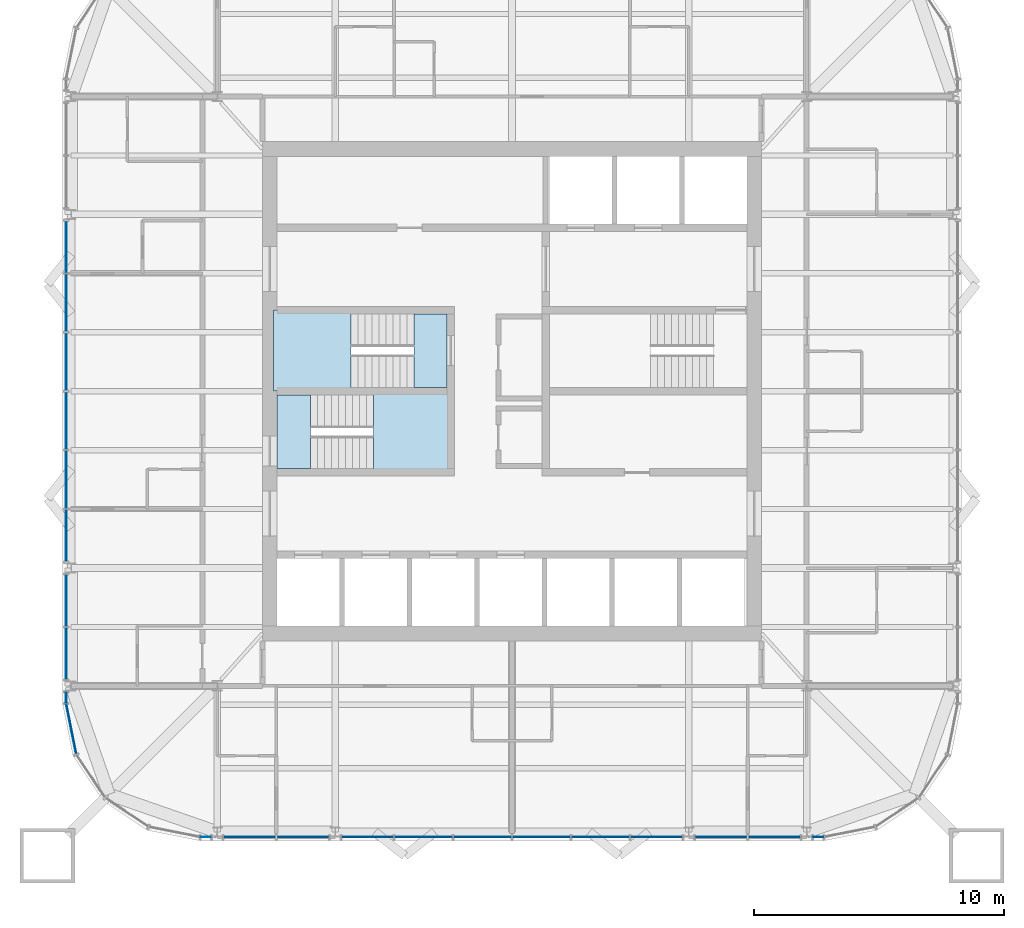
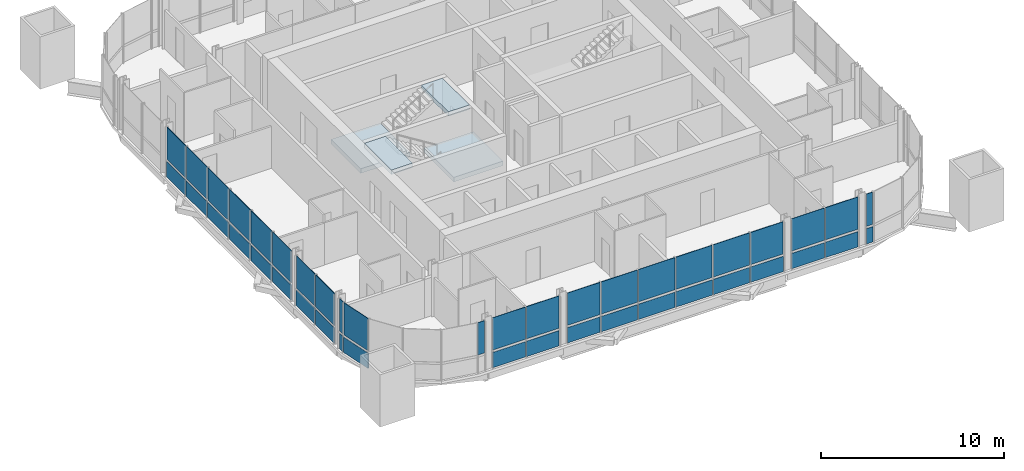
# One storey, part 8 of 17: 43 plates, 4 slabs, 11 elements without a shape of their own.
"""IFC4 building model written with IfcOpenShell, lengths in metres."""

import ifcopenshell
import ifcopenshell.guid

model = None  # the IFC model being written
_history = None  # IfcOwnerHistory: only IFC2X3 demands one
_inside = {}  # id of a spatial element -> (the spatial element, [elements in it])
_under = {}  # id of a project, library or spatial element -> (it, [spatial elements below it])
_declared = {}  # id of a project -> (the project, [libraries it declares])
_typed = {}  # id of a type object -> (the type object, [elements of that type])
_made_of = {}  # id of a material, layer set ... -> (it, [elements and type objects made of it])


def new_model(schema):
    """Start an empty IFC model of exactly this schema.

    Asked for "IFC4X3", IfcOpenShell would pick the latest addendum, in which some entities
    have other attributes; the version numbers below select the first issue.
    IFC2X3 requires an IfcOwnerHistory on every rooted entity: one is made here for all.
    """
    global model, _history
    if schema == "IFC4X3":
        model = ifcopenshell.file(schema_version=(4, 3, 0, 0))
    else:
        model = ifcopenshell.file(schema=schema)
    _inside.clear()
    _under.clear()
    _declared.clear()
    _typed.clear()
    _made_of.clear()
    _history = None
    if model.schema == "IFC2X3":
        org = make("IfcOrganization", Name="unknown")
        user = make(
            "IfcPersonAndOrganization",
            ThePerson=make("IfcPerson", FamilyName="unknown"),
            TheOrganization=org,
        )
        app = make(
            "IfcApplication",
            ApplicationDeveloper=org,
            Version="unknown",
            ApplicationFullName="unknown",
            ApplicationIdentifier="unknown",
        )
        _history = make(
            "IfcOwnerHistory",
            OwningUser=user,
            OwningApplication=app,
            ChangeAction="ADDED",
            CreationDate=0,
        )
    return model


def make(cls, **values):
    """One entity of the class cls with the attributes given. An attribute that is None is left unset."""
    return model.create_entity(
        cls, **{name: value for name, value in values.items() if value is not None}
    )


def rooted(cls, **values):
    """An entity with a GlobalId (a new one), such as an element, a storey or a relation."""
    return make(cls, GlobalId=ifcopenshell.guid.new(), OwnerHistory=_history, **values)


def si_unit(unit_type, name, prefix=None):
    """IfcSIUnit, for example si_unit("LENGTHUNIT", "METRE", prefix="MILLI")."""
    return make("IfcSIUnit", UnitType=unit_type, Prefix=prefix, Name=name)


def assignment(units):
    """IfcUnitAssignment: the units of a project."""
    return None if units is None else make("IfcUnitAssignment", Units=units)


def point(xyz):
    """IfcCartesianPoint."""
    return None if xyz is None else make("IfcCartesianPoint", Coordinates=xyz)


def direction(xyz):
    """IfcDirection."""
    return None if xyz is None else make("IfcDirection", DirectionRatios=xyz)


def frame(location, z_axis=None, x_axis=None):
    """IfcAxis2Placement3D, a coordinate frame: its origin and axes. An axis left out is left unset."""
    return make(
        "IfcAxis2Placement3D",
        Location=point(location),
        Axis=direction(z_axis),
        RefDirection=direction(x_axis),
    )


def frame_2d(location, x_axis=None):
    """IfcAxis2Placement2D, a coordinate frame in the plane: its origin and x axis."""
    return make(
        "IfcAxis2Placement2D", Location=point(location), RefDirection=direction(x_axis)
    )


def origin():
    """The frame at (0, 0, 0) with its axes left unset."""
    return frame((0.0, 0.0, 0.0))


def origin_2d():
    """The frame at (0, 0) in the plane with its x axis left unset."""
    return frame_2d((0.0, 0.0))


def place(relative_to, where):
    """IfcLocalPlacement: puts the frame where relative to a parent placement (None: the world)."""
    return make(
        "IfcLocalPlacement", PlacementRelTo=relative_to, RelativePlacement=where
    )


def context(
    kind, dimensions, precision=None, world=None, true_north=None, identifier=None
):
    """IfcGeometricRepresentationContext, for example the 3D "Model" context."""
    return make(
        "IfcGeometricRepresentationContext",
        ContextIdentifier=identifier,
        ContextType=kind,
        CoordinateSpaceDimension=dimensions,
        Precision=precision,
        WorldCoordinateSystem=world,
        TrueNorth=true_north,
    )


def subcontext(parent, identifier, kind, view, scale=None):
    """IfcGeometricRepresentationSubContext, for example "Body" below "Model"."""
    return make(
        "IfcGeometricRepresentationSubContext",
        ContextIdentifier=identifier,
        ContextType=kind,
        ParentContext=parent,
        TargetScale=scale,
        TargetView=view,
    )


def project(units=None, contexts=None):
    """IfcProject with its units and contexts."""
    return rooted(
        "IfcProject",
        Name="project",
        RepresentationContexts=contexts,
        UnitsInContext=assignment(units),
    )


def spatial(cls, under=None, at=None, **own):
    """A site, building, storey or space (cls), placed at a placement, below another one or the project."""
    s = rooted(cls, ObjectPlacement=at, **own)
    if under is not None:
        _under.setdefault(under.id(), (under, []))[1].append(s)
    return s


def polyline(points):
    """IfcPolyline through the points."""
    return make("IfcPolyline", Points=[point(p) for p in points])


def profile(cls, at=None, kind="AREA", **sizes):
    """A parametric profile (cls). Its sizes go by their IFC names, for example OverallWidth=200.0."""
    return make(cls, ProfileType=kind, Position=at, **sizes)


def rectangle(**sizes):
    """IfcRectangleProfileDef."""
    return profile("IfcRectangleProfileDef", **sizes)


def outline(outer, holes=None, kind="AREA"):
    """IfcArbitraryClosedProfileDef: a profile drawn as a closed curve; with holes, ...WithVoids."""
    if holes is None:
        return make("IfcArbitraryClosedProfileDef", ProfileType=kind, OuterCurve=outer)
    return make(
        "IfcArbitraryProfileDefWithVoids",
        ProfileType=kind,
        OuterCurve=outer,
        InnerCurves=holes,
    )


def extrude(swept, where, along, depth):
    """IfcExtrudedAreaSolid: the profile swept, set in the frame where, extruded along a direction by depth."""
    return make(
        "IfcExtrudedAreaSolid",
        SweptArea=swept,
        Position=where,
        ExtrudedDirection=direction(along),
        Depth=depth,
    )


def shape(context_of_items, identifier, shape_type, items):
    """IfcShapeRepresentation: the items that make up one representation, for example the "Body"."""
    return make(
        "IfcShapeRepresentation",
        ContextOfItems=context_of_items,
        RepresentationIdentifier=identifier,
        RepresentationType=shape_type,
        Items=items,
    )


def material(Name=None, Category=None):
    """IfcMaterial."""
    return make("IfcMaterial", Name=Name, Category=Category)


def layer(
    of_material, thickness, ventilated=None, Name=None, Category=None, Priority=None
):
    """IfcMaterialLayer: one layer of a wall or slab, of a material (None: an air gap)."""
    return make(
        "IfcMaterialLayer",
        Material=of_material,
        LayerThickness=thickness,
        IsVentilated=ventilated,
        Name=Name,
        Category=Category,
        Priority=Priority,
    )


def layer_set(layers, Name=None):
    """IfcMaterialLayerSet."""
    return make("IfcMaterialLayerSet", MaterialLayers=layers, LayerSetName=Name)


def made_of(thing, what):
    """Note that an element or type object is made of a material, layer set ...; save() writes the relation."""
    if what is not None:
        _made_of.setdefault(what.id(), (what, []))[1].append(thing)
    return thing


def type_object(cls, material=None, **own):
    """A type object (cls), such as IfcWallType, which elements share."""
    return made_of(rooted(cls, **own), material)


def element(
    cls,
    number,
    at=None,
    inside=None,
    cuts=None,
    type_object=None,
    material=None,
    context=None,
    identifier="Body",
    shape_type=None,
    held_by="IfcProductDefinitionShape",
    body=None,
    shapes=None,
    **own,
):
    """One element of the class cls, such as IfcWall. Its Tag is "e" and its number.

    at: its placement. inside: the storey or other place that contains it. cuts: it is an
    opening in that element (IfcRelVoidsElement). A single representation is given by context,
    identifier, shape_type and body (its items); several are given by shapes. held_by: the class
    of the entity that holds the representations. save() writes the other relations.
    """
    e = rooted(cls, Tag="e%d" % number, ObjectPlacement=at, **own)
    if body is not None:
        shapes = [shape(context, identifier, shape_type, body)]
    if shapes is not None:
        e.Representation = make(held_by, Representations=shapes)
    if inside is not None:
        _inside.setdefault(inside.id(), (inside, []))[1].append(e)
    if cuts is not None:
        rooted(
            "IfcRelVoidsElement", RelatingBuildingElement=cuts, RelatedOpeningElement=e
        )
    if type_object is not None:
        _typed.setdefault(type_object.id(), (type_object, []))[1].append(e)
    return made_of(e, material)


def aggregate(whole, parts):
    """IfcRelAggregates: a whole, such as a stair, and the parts it consists of."""
    return rooted("IfcRelAggregates", RelatingObject=whole, RelatedObjects=parts)


def save(model, path):
    """Write the relations noted so far, then the file.

    IfcRelAggregates (storeys below a building ...), IfcRelContainedInSpatialStructure (elements
    in a storey), IfcRelDefinesByType, IfcRelAssociatesMaterial and IfcRelDeclares: one each for
    every whole, place, type object, material and project.
    """
    for whole, parts in _under.values():
        aggregate(whole, parts)
    for where, things in _inside.values():
        rooted(
            "IfcRelContainedInSpatialStructure",
            RelatedElements=things,
            RelatingStructure=where,
        )
    for kind, things in _typed.values():
        rooted("IfcRelDefinesByType", RelatedObjects=things, RelatingType=kind)
    for what, things in _made_of.values():
        rooted("IfcRelAssociatesMaterial", RelatedObjects=things, RelatingMaterial=what)
    for by, libraries in _declared.values():
        rooted("IfcRelDeclares", RelatingContext=by, RelatedDefinitions=libraries)
    model.write(path)


model = new_model("IFC4")

# Units and contexts
model_context = context("Model", 3, precision=1e-05, world=origin(), true_north=direction((0.0, 1.0)))
body_context = subcontext(model_context, "Body", "Model", "MODEL_VIEW")
ifc_project = project(units=[si_unit("LENGTHUNIT", "METRE"), si_unit("AREAUNIT", "SQUARE_METRE"), si_unit("VOLUMEUNIT", "CUBIC_METRE"), si_unit("PLANEANGLEUNIT", "RADIAN"), si_unit("MASSUNIT", "GRAM", prefix="KILO")], contexts=[model_context])

# Site, building, storey
site_placement = place(None, origin())
site = spatial("IfcSite", under=ifc_project, at=site_placement, CompositionType="ELEMENT")
building_placement = place(site_placement, origin())
building = spatial("IfcBuilding", under=site, at=building_placement, Name="Turquesa Mirador Hotel Tower", CompositionType="ELEMENT")
storey_placement = place(building_placement, frame((0.0, 0.0, 244.199951171875)))
storey = spatial("IfcBuildingStorey", under=building, at=storey_placement, Name="L66", CompositionType="ELEMENT", Elevation=244.199951171875)

# Curtain wall, plates
ifc_material_1 = material(Name="Aluminium extrusion", Category="aluminium")
curtain_wall_type = type_object("IfcCurtainWallType", Name="CW-4 SUITE FRITTED CURTAIN WALL", PredefinedType="USERDEFINED", material=ifc_material_1)
curtain_wall_1_placement = place(storey_placement, origin())
curtain_wall_1 = element("IfcCurtainWall", 1, at=curtain_wall_1_placement, inside=storey, type_object=curtain_wall_type, Name="CW-4 SUITE FRITTED CURTAIN WALL L66", ObjectType="CURTAIN WALL", PredefinedType="USERDEFINED")
ifc_material_2 = material(Name="Ceramic-printed spandrel glass on an insulated back pan", Category="glass")
ifc_layer_1 = layer(ifc_material_2, 0.050048828125)
ifc_layer_set_1 = layer_set([ifc_layer_1], Name="CW PANEL SPANDREL CERAMIC")
plate_type_1 = type_object("IfcPlateType", Name="CW PANEL SPANDREL CERAMIC", PredefinedType="CURTAIN_PANEL", material=ifc_layer_set_1)
plate_1_placement = place(storey_placement, frame((37.14990234375, 50.782958984375, 0.0), z_axis=(0.0, 0.0, 1.0), x_axis=(0.0, -1.0, 0.0)))
plate_1 = element("IfcPlate", 2, at=plate_1_placement, type_object=plate_type_1, Name="Panel", PredefinedType="CURTAIN_PANEL", context=body_context, shape_type="SweptSolid", body=[
    extrude(rectangle(XDim=2.06103515625, YDim=0.050048828125, at=origin_2d()), origin(), (0.0, 0.0, 1.0), 1.02490234375),
])
plate_2_placement = place(storey_placement, frame((37.14990234375, 48.5400390625, 0.0), z_axis=(0.0, 0.0, 1.0), x_axis=(0.0, -1.0, 0.0)))
plate_2 = element("IfcPlate", 3, at=plate_2_placement, type_object=plate_type_1, Name="Panel", PredefinedType="CURTAIN_PANEL", context=body_context, shape_type="SweptSolid", body=[
    extrude(rectangle(XDim=2.294921875, YDim=0.050048828125, at=origin_2d()), origin(), (0.0, 0.0, 1.0), 1.02490234375),
])
plate_3_placement = place(storey_placement, frame((37.14990234375, 46.179931640625, 0.0), z_axis=(0.0, 0.0, 1.0), x_axis=(0.0, -1.0, 0.0)))
plate_3 = element("IfcPlate", 4, at=plate_3_placement, type_object=plate_type_1, Name="Panel", PredefinedType="CURTAIN_PANEL", context=body_context, shape_type="SweptSolid", body=[
    extrude(rectangle(XDim=2.294921875, YDim=0.050048828125, at=origin_2d()), origin(), (0.0, 0.0, 1.0), 1.02490234375),
])
plate_4_placement = place(storey_placement, frame((37.14990234375, 43.820068359375, 0.0), z_axis=(0.0, 0.0, 1.0), x_axis=(0.0, -1.0, 0.0)))
plate_4 = element("IfcPlate", 5, at=plate_4_placement, type_object=plate_type_1, Name="Panel", PredefinedType="CURTAIN_PANEL", context=body_context, shape_type="SweptSolid", body=[
    extrude(rectangle(XDim=2.294921875, YDim=0.050048828125, at=origin_2d()), origin(), (0.0, 0.0, 1.0), 1.02490234375),
])
plate_5_placement = place(storey_placement, frame((37.14990234375, 41.4599609375, 0.0), z_axis=(0.0, 0.0, 1.0), x_axis=(0.0, -1.0, 0.0)))
plate_5 = element("IfcPlate", 6, at=plate_5_placement, type_object=plate_type_1, Name="Panel", PredefinedType="CURTAIN_PANEL", context=body_context, shape_type="SweptSolid", body=[
    extrude(rectangle(XDim=2.294921875, YDim=0.050048828125, at=origin_2d()), origin(), (0.0, 0.0, 1.0), 1.02490234375),
])
plate_6_placement = place(storey_placement, frame((37.14990234375, 39.217041015625, 0.0), z_axis=(0.0, 0.0, 1.0), x_axis=(0.0, -1.0, 0.0)))
plate_6 = element("IfcPlate", 7, at=plate_6_placement, type_object=plate_type_1, Name="Panel", PredefinedType="CURTAIN_PANEL", context=body_context, shape_type="SweptSolid", body=[
    extrude(rectangle(XDim=2.06103515625, YDim=0.050048828125, at=origin_2d()), origin(), (0.0, 0.0, 1.0), 1.02490234375),
])

curtain_wall_2_placement = place(storey_placement, origin())
curtain_wall_2 = element("IfcCurtainWall", 8, at=curtain_wall_2_placement, inside=storey, type_object=curtain_wall_type, Name="CW-4 SUITE FRITTED CURTAIN WALL L66", ObjectType="CURTAIN WALL", PredefinedType="USERDEFINED")
plate_7_placement = place(storey_placement, frame((37.14990234375, 36.623046875, 0.0), z_axis=(0.0, 0.0, 1.0), x_axis=(0.0, -1.0, 0.0)))
plate_7 = element("IfcPlate", 9, at=plate_7_placement, type_object=plate_type_1, Name="Panel", PredefinedType="CURTAIN_PANEL", context=body_context, shape_type="SweptSolid", body=[
    extrude(rectangle(XDim=2.06103515625, YDim=0.050048828125, at=origin_2d()), origin(), (0.0, 0.0, 1.0), 1.02490234375),
])
plate_8_placement = place(storey_placement, frame((37.14990234375, 34.496826171875, 0.0), z_axis=(0.0, 0.0, 1.0), x_axis=(0.0, -1.0, 0.0)))
plate_8 = element("IfcPlate", 10, at=plate_8_placement, type_object=plate_type_1, Name="Panel", PredefinedType="CURTAIN_PANEL", context=body_context, shape_type="SweptSolid", body=[
    extrude(rectangle(XDim=2.06103515625, YDim=0.050048828125, at=origin_2d()), origin(), (0.0, 0.0, 1.0), 1.02490234375),
])

# Curtain wall, plate
curtain_wall_3_placement = place(storey_placement, origin())
curtain_wall_3 = element("IfcCurtainWall", 11, at=curtain_wall_3_placement, inside=storey, type_object=curtain_wall_type, Name="CW-4 SUITE FRITTED CURTAIN WALL L66", ObjectType="CURTAIN WALL", PredefinedType="USERDEFINED")
plate_9_placement = place(storey_placement, frame((37.14990234375, 32.733154296875, 0.0), z_axis=(0.0, 0.0, 1.0), x_axis=(0.0, -1.0, 0.0)))
plate_9 = element("IfcPlate", 12, at=plate_9_placement, type_object=plate_type_1, Name="Panel", PredefinedType="CURTAIN_PANEL", context=body_context, shape_type="SweptSolid", body=[
    extrude(rectangle(XDim=0.401123046875, YDim=0.050048828125, at=origin_2d()), origin(), (0.0, 0.0, 1.0), 1.02490234375),
])

curtain_wall_4_placement = place(storey_placement, origin())
curtain_wall_4 = element("IfcCurtainWall", 13, at=curtain_wall_4_placement, inside=storey, type_object=curtain_wall_type, Name="CW-4 SUITE FRITTED CURTAIN WALL L66", ObjectType="CURTAIN WALL", PredefinedType="USERDEFINED")
plate_10_placement = place(storey_placement, frame((37.353515625, 31.476318359375, 0.0), z_axis=(0.0, 0.0, 1.0), x_axis=(0.195090585221, -0.980785228048, 0.0)))
plate_10 = element("IfcPlate", 14, at=plate_10_placement, type_object=plate_type_1, Name="Panel", PredefinedType="CURTAIN_PANEL", context=body_context, shape_type="SweptSolid", body=[
    extrude(rectangle(XDim=2.0224609375, YDim=0.050048828125, at=origin_2d()), origin(), (0.0, 0.0, 1.0), 1.02490234375),
])

# Curtain wall, plates
curtain_wall_5_placement = place(storey_placement, origin())
curtain_wall_5 = element("IfcCurtainWall", 15, at=curtain_wall_5_placement, inside=storey, type_object=curtain_wall_type, Name="CW-4 SUITE FRITTED CURTAIN WALL L66", ObjectType="CURTAIN WALL", PredefinedType="USERDEFINED")
plate_11_placement = place(storey_placement, frame((44.496826171875, 27.14990234375, 0.0), z_axis=(0.0, 0.0, 1.0), x_axis=(1.0, 0.0, 0.0)))
plate_11 = element("IfcPlate", 16, at=plate_11_placement, type_object=plate_type_1, Name="Panel", PredefinedType="CURTAIN_PANEL", context=body_context, shape_type="SweptSolid", body=[
    extrude(rectangle(XDim=2.06103515625, YDim=0.050048828125, at=origin_2d()), origin(), (0.0, 0.0, 1.0), 1.02490234375),
])
plate_12_placement = place(storey_placement, frame((46.623046875, 27.14990234375, 0.0), z_axis=(0.0, 0.0, 1.0), x_axis=(1.0, 0.0, 0.0)))
plate_12 = element("IfcPlate", 17, at=plate_12_placement, type_object=plate_type_1, Name="Panel", PredefinedType="CURTAIN_PANEL", context=body_context, shape_type="SweptSolid", body=[
    extrude(rectangle(XDim=2.06103515625, YDim=0.050048828125, at=origin_2d()), origin(), (0.0, 0.0, 1.0), 1.02490234375),
])

curtain_wall_6_placement = place(storey_placement, origin())
curtain_wall_6 = element("IfcCurtainWall", 18, at=curtain_wall_6_placement, inside=storey, type_object=curtain_wall_type, Name="CW-4 SUITE FRITTED CURTAIN WALL L66", ObjectType="CURTAIN WALL", PredefinedType="USERDEFINED")
plate_13_placement = place(storey_placement, frame((49.217041015625, 27.14990234375, 0.0), z_axis=(0.0, 0.0, 1.0), x_axis=(1.0, 0.0, 0.0)))
plate_13 = element("IfcPlate", 19, at=plate_13_placement, type_object=plate_type_1, Name="Panel", PredefinedType="CURTAIN_PANEL", context=body_context, shape_type="SweptSolid", body=[
    extrude(rectangle(XDim=2.06103515625, YDim=0.050048828125, at=origin_2d()), origin(), (0.0, 0.0, 1.0), 1.02490234375),
])
plate_14_placement = place(storey_placement, frame((51.4599609375, 27.14990234375, 0.0), z_axis=(0.0, 0.0, 1.0), x_axis=(1.0, 0.0, 0.0)))
plate_14 = element("IfcPlate", 20, at=plate_14_placement, type_object=plate_type_1, Name="Panel", PredefinedType="CURTAIN_PANEL", context=body_context, shape_type="SweptSolid", body=[
    extrude(rectangle(XDim=2.294921875, YDim=0.050048828125, at=origin_2d()), origin(), (0.0, 0.0, 1.0), 1.02490234375),
])
plate_15_placement = place(storey_placement, frame((53.820068359375, 27.14990234375, 0.0), z_axis=(0.0, 0.0, 1.0), x_axis=(1.0, 0.0, 0.0)))
plate_15 = element("IfcPlate", 21, at=plate_15_placement, type_object=plate_type_1, Name="Panel", PredefinedType="CURTAIN_PANEL", context=body_context, shape_type="SweptSolid", body=[
    extrude(rectangle(XDim=2.294921875, YDim=0.050048828125, at=origin_2d()), origin(), (0.0, 0.0, 1.0), 1.02490234375),
])
plate_16_placement = place(storey_placement, frame((56.179931640625, 27.14990234375, 0.0), z_axis=(0.0, 0.0, 1.0), x_axis=(1.0, 0.0, 0.0)))
plate_16 = element("IfcPlate", 22, at=plate_16_placement, type_object=plate_type_1, Name="Panel", PredefinedType="CURTAIN_PANEL", context=body_context, shape_type="SweptSolid", body=[
    extrude(rectangle(XDim=2.294921875, YDim=0.050048828125, at=origin_2d()), origin(), (0.0, 0.0, 1.0), 1.02490234375),
])
plate_17_placement = place(storey_placement, frame((58.5400390625, 27.14990234375, 0.0), z_axis=(0.0, 0.0, 1.0), x_axis=(1.0, 0.0, 0.0)))
plate_17 = element("IfcPlate", 23, at=plate_17_placement, type_object=plate_type_1, Name="Panel", PredefinedType="CURTAIN_PANEL", context=body_context, shape_type="SweptSolid", body=[
    extrude(rectangle(XDim=2.294921875, YDim=0.050048828125, at=origin_2d()), origin(), (0.0, 0.0, 1.0), 1.02490234375),
])
plate_18_placement = place(storey_placement, frame((60.782958984375, 27.14990234375, 0.0), z_axis=(0.0, 0.0, 1.0), x_axis=(1.0, 0.0, 0.0)))
plate_18 = element("IfcPlate", 24, at=plate_18_placement, type_object=plate_type_1, Name="Panel", PredefinedType="CURTAIN_PANEL", context=body_context, shape_type="SweptSolid", body=[
    extrude(rectangle(XDim=2.06103515625, YDim=0.050048828125, at=origin_2d()), origin(), (0.0, 0.0, 1.0), 1.02490234375),
])

curtain_wall_7_placement = place(storey_placement, origin())
curtain_wall_7 = element("IfcCurtainWall", 25, at=curtain_wall_7_placement, inside=storey, type_object=curtain_wall_type, Name="CW-4 SUITE FRITTED CURTAIN WALL L66", ObjectType="CURTAIN WALL", PredefinedType="USERDEFINED")
plate_19_placement = place(storey_placement, frame((63.376953125, 27.14990234375, 0.0), z_axis=(0.0, 0.0, 1.0), x_axis=(1.0, 0.0, 0.0)))
plate_19 = element("IfcPlate", 26, at=plate_19_placement, type_object=plate_type_1, Name="Panel", PredefinedType="CURTAIN_PANEL", context=body_context, shape_type="SweptSolid", body=[
    extrude(rectangle(XDim=2.06103515625, YDim=0.050048828125, at=origin_2d()), origin(), (0.0, 0.0, 1.0), 1.02490234375),
])
plate_20_placement = place(storey_placement, frame((65.503173828125, 27.14990234375, 0.0), z_axis=(0.0, 0.0, 1.0), x_axis=(1.0, 0.0, 0.0)))
plate_20 = element("IfcPlate", 27, at=plate_20_placement, type_object=plate_type_1, Name="Panel", PredefinedType="CURTAIN_PANEL", context=body_context, shape_type="SweptSolid", body=[
    extrude(rectangle(XDim=2.06103515625, YDim=0.050048828125, at=origin_2d()), origin(), (0.0, 0.0, 1.0), 1.02490234375),
])

# Curtain wall, plate
curtain_wall_8_placement = place(storey_placement, origin())
curtain_wall_8 = element("IfcCurtainWall", 28, at=curtain_wall_8_placement, inside=storey, type_object=curtain_wall_type, Name="CW-4 SUITE FRITTED CURTAIN WALL L66", ObjectType="CURTAIN WALL", PredefinedType="USERDEFINED")
plate_21_placement = place(storey_placement, frame((67.266845703125, 27.14990234375, 0.0), z_axis=(0.0, 0.0, 1.0), x_axis=(1.0, 0.0, 0.0)))
plate_21 = element("IfcPlate", 29, at=plate_21_placement, type_object=plate_type_1, Name="Panel", PredefinedType="CURTAIN_PANEL", context=body_context, shape_type="SweptSolid", body=[
    extrude(rectangle(XDim=0.401123046875, YDim=0.050048828125, at=origin_2d()), origin(), (0.0, 0.0, 1.0), 1.02490234375),
])

# Plate
ifc_material_3 = material(Name="Ceramic-fritted laminated glass", Category="glass")
ifc_layer_2 = layer(ifc_material_3, 0.031982421875)
ifc_layer_set_2 = layer_set([ifc_layer_2], Name="CW PANEL VISION FRITTED")
plate_type_2 = type_object("IfcPlateType", Name="CW PANEL VISION FRITTED", PredefinedType="CURTAIN_PANEL", material=ifc_layer_set_2)
plate_22_placement = place(storey_placement, frame((37.14990234375, 50.782958984375, 1.1748046875), z_axis=(0.0, 0.0, 1.0), x_axis=(0.0, -1.0, 0.0)))
plate_22 = element("IfcPlate", 30, at=plate_22_placement, type_object=plate_type_2, Name="Panel", PredefinedType="CURTAIN_PANEL", context=body_context, shape_type="SweptSolid", body=[
    extrude(rectangle(XDim=2.06103515625, YDim=0.031982421875, at=origin_2d()), origin(), (0.0, 0.0, 1.0), 2.155029296875),
])

plate_23_placement = place(storey_placement, frame((37.14990234375, 48.5400390625, 1.1748046875), z_axis=(0.0, 0.0, 1.0), x_axis=(0.0, -1.0, 0.0)))
plate_23 = element("IfcPlate", 31, at=plate_23_placement, type_object=plate_type_2, Name="Panel", PredefinedType="CURTAIN_PANEL", context=body_context, shape_type="SweptSolid", body=[
    extrude(rectangle(XDim=2.294921875, YDim=0.031982421875, at=origin_2d()), origin(), (0.0, 0.0, 1.0), 2.155029296875),
])

plate_24_placement = place(storey_placement, frame((37.14990234375, 46.179931640625, 1.1748046875), z_axis=(0.0, 0.0, 1.0), x_axis=(0.0, -1.0, 0.0)))
plate_24 = element("IfcPlate", 32, at=plate_24_placement, type_object=plate_type_2, Name="Panel", PredefinedType="CURTAIN_PANEL", context=body_context, shape_type="SweptSolid", body=[
    extrude(rectangle(XDim=2.294921875, YDim=0.031982421875, at=origin_2d()), origin(), (0.0, 0.0, 1.0), 2.155029296875),
])

plate_25_placement = place(storey_placement, frame((37.14990234375, 43.820068359375, 1.1748046875), z_axis=(0.0, 0.0, 1.0), x_axis=(0.0, -1.0, 0.0)))
plate_25 = element("IfcPlate", 33, at=plate_25_placement, type_object=plate_type_2, Name="Panel", PredefinedType="CURTAIN_PANEL", context=body_context, shape_type="SweptSolid", body=[
    extrude(rectangle(XDim=2.294921875, YDim=0.031982421875, at=origin_2d()), origin(), (0.0, 0.0, 1.0), 2.155029296875),
])

plate_26_placement = place(storey_placement, frame((37.14990234375, 41.4599609375, 1.1748046875), z_axis=(0.0, 0.0, 1.0), x_axis=(0.0, -1.0, 0.0)))
plate_26 = element("IfcPlate", 34, at=plate_26_placement, type_object=plate_type_2, Name="Panel", PredefinedType="CURTAIN_PANEL", context=body_context, shape_type="SweptSolid", body=[
    extrude(rectangle(XDim=2.294921875, YDim=0.031982421875, at=origin_2d()), origin(), (0.0, 0.0, 1.0), 2.155029296875),
])

plate_27_placement = place(storey_placement, frame((37.14990234375, 39.217041015625, 1.1748046875), z_axis=(0.0, 0.0, 1.0), x_axis=(0.0, -1.0, 0.0)))
plate_27 = element("IfcPlate", 35, at=plate_27_placement, type_object=plate_type_2, Name="Panel", PredefinedType="CURTAIN_PANEL", context=body_context, shape_type="SweptSolid", body=[
    extrude(rectangle(XDim=2.06103515625, YDim=0.031982421875, at=origin_2d()), origin(), (0.0, 0.0, 1.0), 2.155029296875),
])

aggregate(curtain_wall_1, [plate_1, plate_22, plate_2, plate_23, plate_3, plate_24, plate_4, plate_25, plate_5, plate_26, plate_6, plate_27])

plate_28_placement = place(storey_placement, frame((37.14990234375, 36.623046875, 1.1748046875), z_axis=(0.0, 0.0, 1.0), x_axis=(0.0, -1.0, 0.0)))
plate_28 = element("IfcPlate", 36, at=plate_28_placement, type_object=plate_type_2, Name="Panel", PredefinedType="CURTAIN_PANEL", context=body_context, shape_type="SweptSolid", body=[
    extrude(rectangle(XDim=2.06103515625, YDim=0.031982421875, at=origin_2d()), origin(), (0.0, 0.0, 1.0), 2.155029296875),
])

plate_29_placement = place(storey_placement, frame((37.14990234375, 34.496826171875, 1.1748046875), z_axis=(0.0, 0.0, 1.0), x_axis=(0.0, -1.0, 0.0)))
plate_29 = element("IfcPlate", 37, at=plate_29_placement, type_object=plate_type_2, Name="Panel", PredefinedType="CURTAIN_PANEL", context=body_context, shape_type="SweptSolid", body=[
    extrude(rectangle(XDim=2.06103515625, YDim=0.031982421875, at=origin_2d()), origin(), (0.0, 0.0, 1.0), 2.155029296875),
])

aggregate(curtain_wall_2, [plate_7, plate_28, plate_8, plate_29])

plate_30_placement = place(storey_placement, frame((37.14990234375, 32.733154296875, 1.1748046875), z_axis=(0.0, 0.0, 1.0), x_axis=(0.0, -1.0, 0.0)))
plate_30 = element("IfcPlate", 38, at=plate_30_placement, type_object=plate_type_2, Name="Panel", PredefinedType="CURTAIN_PANEL", context=body_context, shape_type="SweptSolid", body=[
    extrude(rectangle(XDim=0.401123046875, YDim=0.031982421875, at=origin_2d()), origin(), (0.0, 0.0, 1.0), 2.155029296875),
])

aggregate(curtain_wall_3, [plate_9, plate_30])

plate_31_placement = place(storey_placement, frame((37.353515625, 31.476318359375, 1.1748046875), z_axis=(0.0, 0.0, 1.0), x_axis=(0.195090585221, -0.980785228048, 0.0)))
plate_31 = element("IfcPlate", 39, at=plate_31_placement, type_object=plate_type_2, Name="Panel", PredefinedType="CURTAIN_PANEL", context=body_context, shape_type="SweptSolid", body=[
    extrude(rectangle(XDim=2.0224609375, YDim=0.031982421875, at=origin_2d()), origin(), (0.0, 0.0, 1.0), 2.155029296875),
])

aggregate(curtain_wall_4, [plate_10, plate_31])

# Curtain wall, plate
curtain_wall_9_placement = place(storey_placement, origin())
curtain_wall_9 = element("IfcCurtainWall", 40, at=curtain_wall_9_placement, inside=storey, type_object=curtain_wall_type, Name="CW-4 SUITE FRITTED CURTAIN WALL L66", ObjectType="CURTAIN WALL", PredefinedType="USERDEFINED")
plate_32_placement = place(storey_placement, frame((42.733154296875, 27.14990234375, 1.1748046875), z_axis=(0.0, 0.0, 1.0), x_axis=(1.0, 0.0, 0.0)))
plate_32 = element("IfcPlate", 41, at=plate_32_placement, type_object=plate_type_2, Name="Panel", PredefinedType="CURTAIN_PANEL", context=body_context, shape_type="SweptSolid", body=[
    extrude(rectangle(XDim=0.401123046875, YDim=0.031982421875, at=origin_2d()), origin(), (0.0, 0.0, 1.0), 2.155029296875),
])
aggregate(curtain_wall_9, [plate_32])

# Plate
plate_33_placement = place(storey_placement, frame((44.496826171875, 27.14990234375, 1.1748046875), z_axis=(0.0, 0.0, 1.0), x_axis=(1.0, 0.0, 0.0)))
plate_33 = element("IfcPlate", 42, at=plate_33_placement, type_object=plate_type_2, Name="Panel", PredefinedType="CURTAIN_PANEL", context=body_context, shape_type="SweptSolid", body=[
    extrude(rectangle(XDim=2.06103515625, YDim=0.031982421875, at=origin_2d()), origin(), (0.0, 0.0, 1.0), 2.155029296875),
])

plate_34_placement = place(storey_placement, frame((46.623046875, 27.14990234375, 1.1748046875), z_axis=(0.0, 0.0, 1.0), x_axis=(1.0, 0.0, 0.0)))
plate_34 = element("IfcPlate", 43, at=plate_34_placement, type_object=plate_type_2, Name="Panel", PredefinedType="CURTAIN_PANEL", context=body_context, shape_type="SweptSolid", body=[
    extrude(rectangle(XDim=2.06103515625, YDim=0.031982421875, at=origin_2d()), origin(), (0.0, 0.0, 1.0), 2.155029296875),
])

aggregate(curtain_wall_5, [plate_11, plate_33, plate_12, plate_34])

plate_35_placement = place(storey_placement, frame((49.217041015625, 27.14990234375, 1.1748046875), z_axis=(0.0, 0.0, 1.0), x_axis=(1.0, 0.0, 0.0)))
plate_35 = element("IfcPlate", 44, at=plate_35_placement, type_object=plate_type_2, Name="Panel", PredefinedType="CURTAIN_PANEL", context=body_context, shape_type="SweptSolid", body=[
    extrude(rectangle(XDim=2.06103515625, YDim=0.031982421875, at=origin_2d()), origin(), (0.0, 0.0, 1.0), 2.155029296875),
])

plate_36_placement = place(storey_placement, frame((51.4599609375, 27.14990234375, 1.1748046875), z_axis=(0.0, 0.0, 1.0), x_axis=(1.0, 0.0, 0.0)))
plate_36 = element("IfcPlate", 45, at=plate_36_placement, type_object=plate_type_2, Name="Panel", PredefinedType="CURTAIN_PANEL", context=body_context, shape_type="SweptSolid", body=[
    extrude(rectangle(XDim=2.294921875, YDim=0.031982421875, at=origin_2d()), origin(), (0.0, 0.0, 1.0), 2.155029296875),
])

plate_37_placement = place(storey_placement, frame((53.820068359375, 27.14990234375, 1.1748046875), z_axis=(0.0, 0.0, 1.0), x_axis=(1.0, 0.0, 0.0)))
plate_37 = element("IfcPlate", 46, at=plate_37_placement, type_object=plate_type_2, Name="Panel", PredefinedType="CURTAIN_PANEL", context=body_context, shape_type="SweptSolid", body=[
    extrude(rectangle(XDim=2.294921875, YDim=0.031982421875, at=origin_2d()), origin(), (0.0, 0.0, 1.0), 2.155029296875),
])

plate_38_placement = place(storey_placement, frame((56.179931640625, 27.14990234375, 1.1748046875), z_axis=(0.0, 0.0, 1.0), x_axis=(1.0, 0.0, 0.0)))
plate_38 = element("IfcPlate", 47, at=plate_38_placement, type_object=plate_type_2, Name="Panel", PredefinedType="CURTAIN_PANEL", context=body_context, shape_type="SweptSolid", body=[
    extrude(rectangle(XDim=2.294921875, YDim=0.031982421875, at=origin_2d()), origin(), (0.0, 0.0, 1.0), 2.155029296875),
])

plate_39_placement = place(storey_placement, frame((58.5400390625, 27.14990234375, 1.1748046875), z_axis=(0.0, 0.0, 1.0), x_axis=(1.0, 0.0, 0.0)))
plate_39 = element("IfcPlate", 48, at=plate_39_placement, type_object=plate_type_2, Name="Panel", PredefinedType="CURTAIN_PANEL", context=body_context, shape_type="SweptSolid", body=[
    extrude(rectangle(XDim=2.294921875, YDim=0.031982421875, at=origin_2d()), origin(), (0.0, 0.0, 1.0), 2.155029296875),
])

plate_40_placement = place(storey_placement, frame((60.782958984375, 27.14990234375, 1.1748046875), z_axis=(0.0, 0.0, 1.0), x_axis=(1.0, 0.0, 0.0)))
plate_40 = element("IfcPlate", 49, at=plate_40_placement, type_object=plate_type_2, Name="Panel", PredefinedType="CURTAIN_PANEL", context=body_context, shape_type="SweptSolid", body=[
    extrude(rectangle(XDim=2.06103515625, YDim=0.031982421875, at=origin_2d()), origin(), (0.0, 0.0, 1.0), 2.155029296875),
])

aggregate(curtain_wall_6, [plate_13, plate_35, plate_14, plate_36, plate_15, plate_37, plate_16, plate_38, plate_17, plate_39, plate_18, plate_40])

plate_41_placement = place(storey_placement, frame((63.376953125, 27.14990234375, 1.1748046875), z_axis=(0.0, 0.0, 1.0), x_axis=(1.0, 0.0, 0.0)))
plate_41 = element("IfcPlate", 50, at=plate_41_placement, type_object=plate_type_2, Name="Panel", PredefinedType="CURTAIN_PANEL", context=body_context, shape_type="SweptSolid", body=[
    extrude(rectangle(XDim=2.06103515625, YDim=0.031982421875, at=origin_2d()), origin(), (0.0, 0.0, 1.0), 2.155029296875),
])

plate_42_placement = place(storey_placement, frame((65.503173828125, 27.14990234375, 1.1748046875), z_axis=(0.0, 0.0, 1.0), x_axis=(1.0, 0.0, 0.0)))
plate_42 = element("IfcPlate", 51, at=plate_42_placement, type_object=plate_type_2, Name="Panel", PredefinedType="CURTAIN_PANEL", context=body_context, shape_type="SweptSolid", body=[
    extrude(rectangle(XDim=2.06103515625, YDim=0.031982421875, at=origin_2d()), origin(), (0.0, 0.0, 1.0), 2.155029296875),
])

aggregate(curtain_wall_7, [plate_19, plate_41, plate_20, plate_42])

plate_43_placement = place(storey_placement, frame((67.266845703125, 27.14990234375, 1.1748046875), z_axis=(0.0, 0.0, 1.0), x_axis=(1.0, 0.0, 0.0)))
plate_43 = element("IfcPlate", 52, at=plate_43_placement, type_object=plate_type_2, Name="Panel", PredefinedType="CURTAIN_PANEL", context=body_context, shape_type="SweptSolid", body=[
    extrude(rectangle(XDim=0.401123046875, YDim=0.031982421875, at=origin_2d()), origin(), (0.0, 0.0, 1.0), 2.155029296875),
])

aggregate(curtain_wall_8, [plate_21, plate_43])

# Stair, slabs
ifc_material_4 = material(Name="Concrete C35/45", Category="concrete")
stair_type = type_object("IfcStairType", Name="ESCAPE STAIR CORE", PredefinedType="HALF_TURN_STAIR", material=ifc_material_4)
stair_1_placement = place(storey_placement, origin())
stair_1 = element("IfcStair", 53, at=stair_1_placement, inside=storey, type_object=stair_type, Name="Stair ST1 L66 to L67", PredefinedType="HALF_TURN_STAIR")
ifc_material_5 = material(Name="Concrete C35/45", Category="concrete")
ifc_layer_3 = layer(ifc_material_5, 0.300048828125)
ifc_layer_set_3 = layer_set([ifc_layer_3], Name="STAIR LANDING 300")
slab_type = type_object("IfcSlabType", Name="STAIR LANDING 300", PredefinedType="LANDING", material=ifc_layer_set_3)
slab_1_placement = place(storey_placement, frame((0.0, 0.0, 1.449951171875)))
slab_1 = element("IfcSlab", 54, at=slab_1_placement, type_object=slab_type, Name="ST1 landing 1", PredefinedType="LANDING", context=body_context, shape_type="SweptSolid", body=[
    extrude(outline(polyline([(45.449951171875, 45.0), (48.550048828125, 45.0), (48.550048828125, 48.25), (45.449951171875, 48.25), (45.449951171875, 45.0)])), origin(), (0.0, 0.0, 1.0), 0.300048828125),
])
slab_2_placement = place(storey_placement, frame((0.0, 0.0, 3.199951171875)))
slab_2 = element("IfcSlab", 55, at=slab_2_placement, type_object=slab_type, Name="ST1 landing 2", PredefinedType="LANDING", context=body_context, shape_type="SweptSolid", body=[
    extrude(outline(polyline([(51.070068359375, 45.14990234375), (52.39990234375, 45.14990234375), (52.39990234375, 48.10009765625), (51.070068359375, 48.10009765625), (51.070068359375, 45.14990234375)])), origin(), (0.0, 0.0, 1.0), 0.300048828125),
])
aggregate(stair_1, [slab_1, slab_2])

stair_2_placement = place(storey_placement, origin())
stair_2 = element("IfcStair", 56, at=stair_2_placement, inside=storey, type_object=stair_type, Name="Stair ST2 L66 to L67", PredefinedType="HALF_TURN_STAIR")
slab_3_placement = place(storey_placement, frame((0.0, 0.0, 1.449951171875)))
slab_3 = element("IfcSlab", 57, at=slab_3_placement, type_object=slab_type, Name="ST2 landing 1", PredefinedType="LANDING", context=body_context, shape_type="SweptSolid", body=[
    extrude(outline(polyline([(52.550048828125, 45.0), (49.449951171875, 45.0), (49.449951171875, 41.75), (52.550048828125, 41.75), (52.550048828125, 45.0)])), origin(), (0.0, 0.0, 1.0), 0.300048828125),
])
slab_4_placement = place(storey_placement, frame((0.0, 0.0, 3.199951171875)))
slab_4 = element("IfcSlab", 58, at=slab_4_placement, type_object=slab_type, Name="ST2 landing 2", PredefinedType="LANDING", context=body_context, shape_type="SweptSolid", body=[
    extrude(outline(polyline([(46.929931640625, 44.85009765625), (45.60009765625, 44.85009765625), (45.60009765625, 41.89990234375), (46.929931640625, 41.89990234375), (46.929931640625, 44.85009765625)])), origin(), (0.0, 0.0, 1.0), 0.300048828125),
])
aggregate(stair_2, [slab_3, slab_4])

save(model, "model.ifc")
